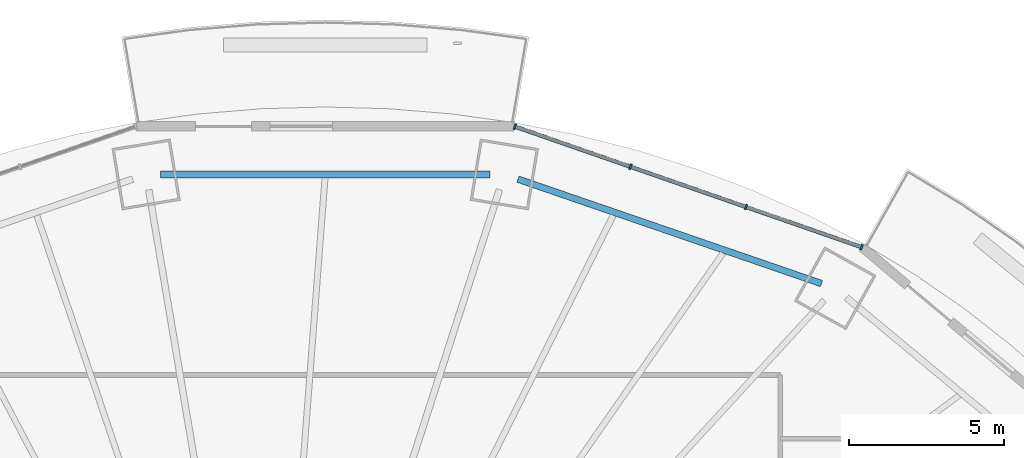
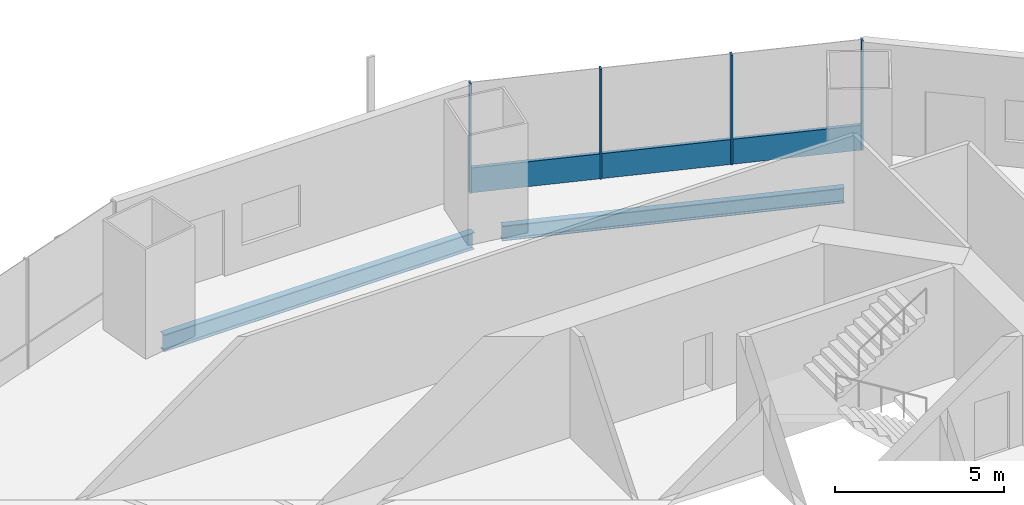
# One storey, part 9 of 20: 5 members, 2 beams, 1 element without a shape of its own.
"""IFC4 building model written with IfcOpenShell, lengths in metres."""

import ifcopenshell
import ifcopenshell.guid

model = None  # the IFC model being written
_history = None  # IfcOwnerHistory: only IFC2X3 demands one
_inside = {}  # id of a spatial element -> (the spatial element, [elements in it])
_under = {}  # id of a project, library or spatial element -> (it, [spatial elements below it])
_declared = {}  # id of a project -> (the project, [libraries it declares])
_typed = {}  # id of a type object -> (the type object, [elements of that type])
_made_of = {}  # id of a material, layer set ... -> (it, [elements and type objects made of it])


def new_model(schema):
    """Start an empty IFC model of exactly this schema.

    Asked for "IFC4X3", IfcOpenShell would pick the latest addendum, in which some entities
    have other attributes; the version numbers below select the first issue.
    IFC2X3 requires an IfcOwnerHistory on every rooted entity: one is made here for all.
    """
    global model, _history
    if schema == "IFC4X3":
        model = ifcopenshell.file(schema_version=(4, 3, 0, 0))
    else:
        model = ifcopenshell.file(schema=schema)
    _inside.clear()
    _under.clear()
    _declared.clear()
    _typed.clear()
    _made_of.clear()
    _history = None
    if model.schema == "IFC2X3":
        org = make("IfcOrganization", Name="unknown")
        user = make(
            "IfcPersonAndOrganization",
            ThePerson=make("IfcPerson", FamilyName="unknown"),
            TheOrganization=org,
        )
        app = make(
            "IfcApplication",
            ApplicationDeveloper=org,
            Version="unknown",
            ApplicationFullName="unknown",
            ApplicationIdentifier="unknown",
        )
        _history = make(
            "IfcOwnerHistory",
            OwningUser=user,
            OwningApplication=app,
            ChangeAction="ADDED",
            CreationDate=0,
        )
    return model


def make(cls, **values):
    """One entity of the class cls with the attributes given. An attribute that is None is left unset."""
    return model.create_entity(
        cls, **{name: value for name, value in values.items() if value is not None}
    )


def rooted(cls, **values):
    """An entity with a GlobalId (a new one), such as an element, a storey or a relation."""
    return make(cls, GlobalId=ifcopenshell.guid.new(), OwnerHistory=_history, **values)


def si_unit(unit_type, name, prefix=None):
    """IfcSIUnit, for example si_unit("LENGTHUNIT", "METRE", prefix="MILLI")."""
    return make("IfcSIUnit", UnitType=unit_type, Prefix=prefix, Name=name)


def assignment(units):
    """IfcUnitAssignment: the units of a project."""
    return None if units is None else make("IfcUnitAssignment", Units=units)


def point(xyz):
    """IfcCartesianPoint."""
    return None if xyz is None else make("IfcCartesianPoint", Coordinates=xyz)


def direction(xyz):
    """IfcDirection."""
    return None if xyz is None else make("IfcDirection", DirectionRatios=xyz)


def frame(location, z_axis=None, x_axis=None):
    """IfcAxis2Placement3D, a coordinate frame: its origin and axes. An axis left out is left unset."""
    return make(
        "IfcAxis2Placement3D",
        Location=point(location),
        Axis=direction(z_axis),
        RefDirection=direction(x_axis),
    )


def frame_2d(location, x_axis=None):
    """IfcAxis2Placement2D, a coordinate frame in the plane: its origin and x axis."""
    return make(
        "IfcAxis2Placement2D", Location=point(location), RefDirection=direction(x_axis)
    )


def origin():
    """The frame at (0, 0, 0) with its axes left unset."""
    return frame((0.0, 0.0, 0.0))


def origin_2d():
    """The frame at (0, 0) in the plane with its x axis left unset."""
    return frame_2d((0.0, 0.0))


def place(relative_to, where):
    """IfcLocalPlacement: puts the frame where relative to a parent placement (None: the world)."""
    return make(
        "IfcLocalPlacement", PlacementRelTo=relative_to, RelativePlacement=where
    )


def context(
    kind, dimensions, precision=None, world=None, true_north=None, identifier=None
):
    """IfcGeometricRepresentationContext, for example the 3D "Model" context."""
    return make(
        "IfcGeometricRepresentationContext",
        ContextIdentifier=identifier,
        ContextType=kind,
        CoordinateSpaceDimension=dimensions,
        Precision=precision,
        WorldCoordinateSystem=world,
        TrueNorth=true_north,
    )


def subcontext(parent, identifier, kind, view, scale=None):
    """IfcGeometricRepresentationSubContext, for example "Body" below "Model"."""
    return make(
        "IfcGeometricRepresentationSubContext",
        ContextIdentifier=identifier,
        ContextType=kind,
        ParentContext=parent,
        TargetScale=scale,
        TargetView=view,
    )


def project(units=None, contexts=None):
    """IfcProject with its units and contexts."""
    return rooted(
        "IfcProject",
        Name="project",
        RepresentationContexts=contexts,
        UnitsInContext=assignment(units),
    )


def spatial(cls, under=None, at=None, **own):
    """A site, building, storey or space (cls), placed at a placement, below another one or the project."""
    s = rooted(cls, ObjectPlacement=at, **own)
    if under is not None:
        _under.setdefault(under.id(), (under, []))[1].append(s)
    return s


def profile(cls, at=None, kind="AREA", **sizes):
    """A parametric profile (cls). Its sizes go by their IFC names, for example OverallWidth=200.0."""
    return make(cls, ProfileType=kind, Position=at, **sizes)


def rectangle(**sizes):
    """IfcRectangleProfileDef."""
    return profile("IfcRectangleProfileDef", **sizes)


def i_section(**sizes):
    """IfcIShapeProfileDef."""
    return profile("IfcIShapeProfileDef", **sizes)


def extrude(swept, where, along, depth):
    """IfcExtrudedAreaSolid: the profile swept, set in the frame where, extruded along a direction by depth."""
    return make(
        "IfcExtrudedAreaSolid",
        SweptArea=swept,
        Position=where,
        ExtrudedDirection=direction(along),
        Depth=depth,
    )


def shape(context_of_items, identifier, shape_type, items):
    """IfcShapeRepresentation: the items that make up one representation, for example the "Body"."""
    return make(
        "IfcShapeRepresentation",
        ContextOfItems=context_of_items,
        RepresentationIdentifier=identifier,
        RepresentationType=shape_type,
        Items=items,
    )


def material(Name=None, Category=None):
    """IfcMaterial."""
    return make("IfcMaterial", Name=Name, Category=Category)


def material_profile(
    of_material, cross_section, Name=None, Category=None, Priority=None
):
    """IfcMaterialProfile: a cross section and its material."""
    return make(
        "IfcMaterialProfile",
        Name=Name,
        Material=of_material,
        Profile=cross_section,
        Priority=Priority,
        Category=Category,
    )


def profile_set(profiles, Name=None, composite=None):
    """IfcMaterialProfileSet."""
    return make(
        "IfcMaterialProfileSet",
        Name=Name,
        MaterialProfiles=profiles,
        CompositeProfile=composite,
    )


def made_of(thing, what):
    """Note that an element or type object is made of a material, layer set ...; save() writes the relation."""
    if what is not None:
        _made_of.setdefault(what.id(), (what, []))[1].append(thing)
    return thing


def type_object(cls, material=None, **own):
    """A type object (cls), such as IfcWallType, which elements share."""
    return made_of(rooted(cls, **own), material)


def element(
    cls,
    number,
    at=None,
    inside=None,
    cuts=None,
    type_object=None,
    material=None,
    context=None,
    identifier="Body",
    shape_type=None,
    held_by="IfcProductDefinitionShape",
    body=None,
    shapes=None,
    **own,
):
    """One element of the class cls, such as IfcWall. Its Tag is "e" and its number.

    at: its placement. inside: the storey or other place that contains it. cuts: it is an
    opening in that element (IfcRelVoidsElement). A single representation is given by context,
    identifier, shape_type and body (its items); several are given by shapes. held_by: the class
    of the entity that holds the representations. save() writes the other relations.
    """
    e = rooted(cls, Tag="e%d" % number, ObjectPlacement=at, **own)
    if body is not None:
        shapes = [shape(context, identifier, shape_type, body)]
    if shapes is not None:
        e.Representation = make(held_by, Representations=shapes)
    if inside is not None:
        _inside.setdefault(inside.id(), (inside, []))[1].append(e)
    if cuts is not None:
        rooted(
            "IfcRelVoidsElement", RelatingBuildingElement=cuts, RelatedOpeningElement=e
        )
    if type_object is not None:
        _typed.setdefault(type_object.id(), (type_object, []))[1].append(e)
    return made_of(e, material)


def aggregate(whole, parts):
    """IfcRelAggregates: a whole, such as a stair, and the parts it consists of."""
    return rooted("IfcRelAggregates", RelatingObject=whole, RelatedObjects=parts)


def save(model, path):
    """Write the relations noted so far, then the file.

    IfcRelAggregates (storeys below a building ...), IfcRelContainedInSpatialStructure (elements
    in a storey), IfcRelDefinesByType, IfcRelAssociatesMaterial and IfcRelDeclares: one each for
    every whole, place, type object, material and project.
    """
    for whole, parts in _under.values():
        aggregate(whole, parts)
    for where, things in _inside.values():
        rooted(
            "IfcRelContainedInSpatialStructure",
            RelatedElements=things,
            RelatingStructure=where,
        )
    for kind, things in _typed.values():
        rooted("IfcRelDefinesByType", RelatedObjects=things, RelatingType=kind)
    for what, things in _made_of.values():
        rooted("IfcRelAssociatesMaterial", RelatedObjects=things, RelatingMaterial=what)
    for by, libraries in _declared.values():
        rooted("IfcRelDeclares", RelatingContext=by, RelatedDefinitions=libraries)
    model.write(path)


model = new_model("IFC4")

# Units and contexts
model_context = context("Model", 3, precision=1e-05, world=origin(), true_north=direction((0.0, 1.0)))
body_context = subcontext(model_context, "Body", "Model", "MODEL_VIEW")
ifc_project = project(units=[si_unit("LENGTHUNIT", "METRE"), si_unit("AREAUNIT", "SQUARE_METRE"), si_unit("VOLUMEUNIT", "CUBIC_METRE"), si_unit("PLANEANGLEUNIT", "RADIAN"), si_unit("MASSUNIT", "GRAM", prefix="KILO")], contexts=[model_context])

# Site, building, storey
site_placement = place(None, origin())
site = spatial("IfcSite", under=ifc_project, at=site_placement, CompositionType="ELEMENT")
building_placement = place(site_placement, origin())
building = spatial("IfcBuilding", under=site, at=building_placement, Name="Marenthal Gate Tower", CompositionType="ELEMENT")
storey_placement = place(building_placement, frame((0.0, 0.0, 215.0)))
storey = spatial("IfcBuildingStorey", under=building, at=storey_placement, Name="L47", CompositionType="ELEMENT", Elevation=215.0)

# Curtain wall, members
ifc_material_1 = material(Name="Aluminium and glass", Category="aluminium")
curtain_wall_type = type_object("IfcCurtainWallType", Name="Curtain wall typical mid", PredefinedType="NOTDEFINED", material=ifc_material_1)
curtain_wall_placement = place(storey_placement, origin())
curtain_wall = element("IfcCurtainWall", 1, at=curtain_wall_placement, inside=storey, type_object=curtain_wall_type, Name="Curtain wall L47 bay 3", PredefinedType="NOTDEFINED")
ifc_material_2 = material(Name="Aluminium", Category="aluminium")
ifc_material_profile_1 = material_profile(ifc_material_2, rectangle(XDim=0.179931640625, YDim=0.06005859375, at=origin_2d()), Name="60x180 aluminium mullion")
ifc_profile_set_1 = profile_set([ifc_material_profile_1], Name="Aluminium")
member_type_1 = type_object("IfcMemberType", Name="Mullion 60x180 typical mid", PredefinedType="MULLION", material=ifc_profile_set_1)
member_1_placement = place(storey_placement, frame((19.066650390625, 21.13623046875, 0.0), z_axis=(0.0, 0.0, 1.0), x_axis=(-0.328400483847, -0.944538576348, 0.0)))
member_1 = element("IfcMember", 2, at=member_1_placement, type_object=member_type_1, Name="Mullion L47 bay 3.1", PredefinedType="MULLION", context=body_context, shape_type="SweptSolid", body=[
    extrude(rectangle(XDim=0.179931640625, YDim=0.06005859375, at=origin_2d()), origin(), (0.0, 0.0, 1.0), 3.969970703125),
])
member_2_placement = place(storey_placement, frame((15.344970703125, 22.43017578125, 0.0), z_axis=(0.0, 0.0, 1.0), x_axis=(-0.328400483847, -0.944538576348, 0.0)))
member_2 = element("IfcMember", 3, at=member_2_placement, type_object=member_type_1, Name="Mullion L47 bay 3.2", PredefinedType="MULLION", context=body_context, shape_type="SweptSolid", body=[
    extrude(rectangle(XDim=0.179931640625, YDim=0.06005859375, at=origin_2d()), origin(), (0.0, 0.0, 1.0), 3.969970703125),
])
member_3_placement = place(storey_placement, frame((11.623291015625, 23.72412109375, 0.0), z_axis=(0.0, 0.0, 1.0), x_axis=(-0.328400483847, -0.944538576348, 0.0)))
member_3 = element("IfcMember", 4, at=member_3_placement, type_object=member_type_1, Name="Mullion L47 bay 3.3", PredefinedType="MULLION", context=body_context, shape_type="SweptSolid", body=[
    extrude(rectangle(XDim=0.179931640625, YDim=0.06005859375, at=origin_2d()), origin(), (0.0, 0.0, 1.0), 3.969970703125),
])
member_4_placement = place(storey_placement, frame((7.901611328125, 25.01806640625, 0.0), z_axis=(0.0, 0.0, 1.0), x_axis=(-0.328400483847, -0.944538576348, 0.0)))
member_4 = element("IfcMember", 5, at=member_4_placement, type_object=member_type_1, Name="Mullion L47 bay 3.4", PredefinedType="MULLION", context=body_context, shape_type="SweptSolid", body=[
    extrude(rectangle(XDim=0.179931640625, YDim=0.06005859375, at=origin_2d()), origin(), (0.0, 0.0, 1.0), 3.969970703125),
])
ifc_material_3 = material(Name="Aluminium", Category="aluminium")
ifc_material_profile_2 = material_profile(ifc_material_3, rectangle(XDim=0.1201171875, YDim=0.89990234375, at=origin_2d()), Name="120x900 aluminium transom")
ifc_profile_set_2 = profile_set([ifc_material_profile_2], Name="Aluminium")
member_type_2 = type_object("IfcMemberType", Name="Transom 120x900 typical mid", PredefinedType="USERDEFINED", material=ifc_profile_set_2)
member_5_placement = place(storey_placement, frame((19.038330078125, 21.14599609375, 0.449951171875), z_axis=(-0.944535997597, 0.328407900703, 0.0), x_axis=(-0.328407900703, -0.944535997597, 0.0)))
member_5 = element("IfcMember", 6, at=member_5_placement, type_object=member_type_2, Name="Transom L47 bay 3", ObjectType="TRANSOM", PredefinedType="USERDEFINED", context=body_context, shape_type="SweptSolid", body=[
    extrude(rectangle(XDim=0.1201171875, YDim=0.89990234375, at=origin_2d()), origin(), (0.0, 0.0, 1.0), 11.7607421875),
])
aggregate(curtain_wall, [member_1, member_2, member_3, member_4, member_5])

# Beams
ifc_material_4 = material(Name="Steel S355", Category="steel")
ifc_material_profile_3 = material_profile(ifc_material_4, i_section(OverallWidth=0.2119140625, OverallDepth=0.5439453125, WebThickness=0.01318359375, FlangeThickness=0.021240234375, FilletRadius=0.0126953125, at=origin_2d()), Name="W530X123")
ifc_profile_set_3 = profile_set([ifc_material_profile_3], Name="Steel S355")
beam_type_1 = type_object("IfcBeamType", Name="W530X123 beam", PredefinedType="BEAM", material=ifc_profile_set_3)
beam_1_placement = place(storey_placement, frame((17.777587890625, 19.9638671875, -0.451904296875), z_axis=(-0.945580359537, 0.325388665534, 0.0), x_axis=(-0.325388665534, -0.945580359537, 0.0)))
element("IfcBeam", 7, at=beam_1_placement, inside=storey, type_object=beam_type_1, Name="BM-L47-43", PredefinedType="BEAM", context=body_context, shape_type="SweptSolid", body=[
    extrude(i_section(OverallWidth=0.2119140625, OverallDepth=0.5439453125, WebThickness=0.01318359375, FlangeThickness=0.021240234375, FilletRadius=0.0126953125, at=origin_2d()), origin(), (0.0, 0.0, 1.0), 10.3369140625),
])
ifc_material_5 = material(Name="Steel S355", Category="steel")
ifc_material_profile_4 = material_profile(ifc_material_5, i_section(OverallWidth=0.22900390625, OverallDepth=0.612060546875, WebThickness=0.011962890625, FlangeThickness=0.01953125, FilletRadius=0.0126953125, at=origin_2d()), Name="W610X125")
ifc_profile_set_4 = profile_set([ifc_material_profile_4], Name="Steel S355")
beam_type_2 = type_object("IfcBeamType", Name="W610X125 beam", PredefinedType="BEAM", material=ifc_profile_set_4)
beam_2_placement = place(storey_placement, frame((7.10205078125, 23.478271484375, -0.486083984375), z_axis=(-1.0, 0.0, 0.0), x_axis=(0.0, -1.0, 0.0)))
element("IfcBeam", 8, at=beam_2_placement, inside=storey, type_object=beam_type_2, Name="BM-L47-44", PredefinedType="BEAM", context=body_context, shape_type="SweptSolid", body=[
    extrude(i_section(OverallWidth=0.22900390625, OverallDepth=0.612060546875, WebThickness=0.011962890625, FlangeThickness=0.01953125, FilletRadius=0.0126953125, at=origin_2d()), origin(), (0.0, 0.0, 1.0), 10.60400390625),
])

save(model, "model.ifc")
